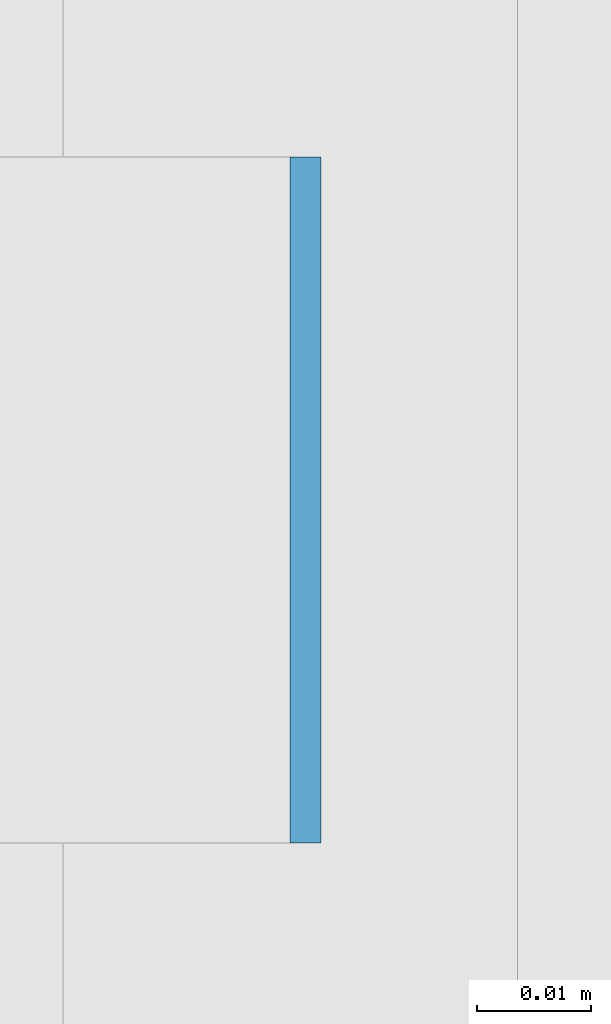
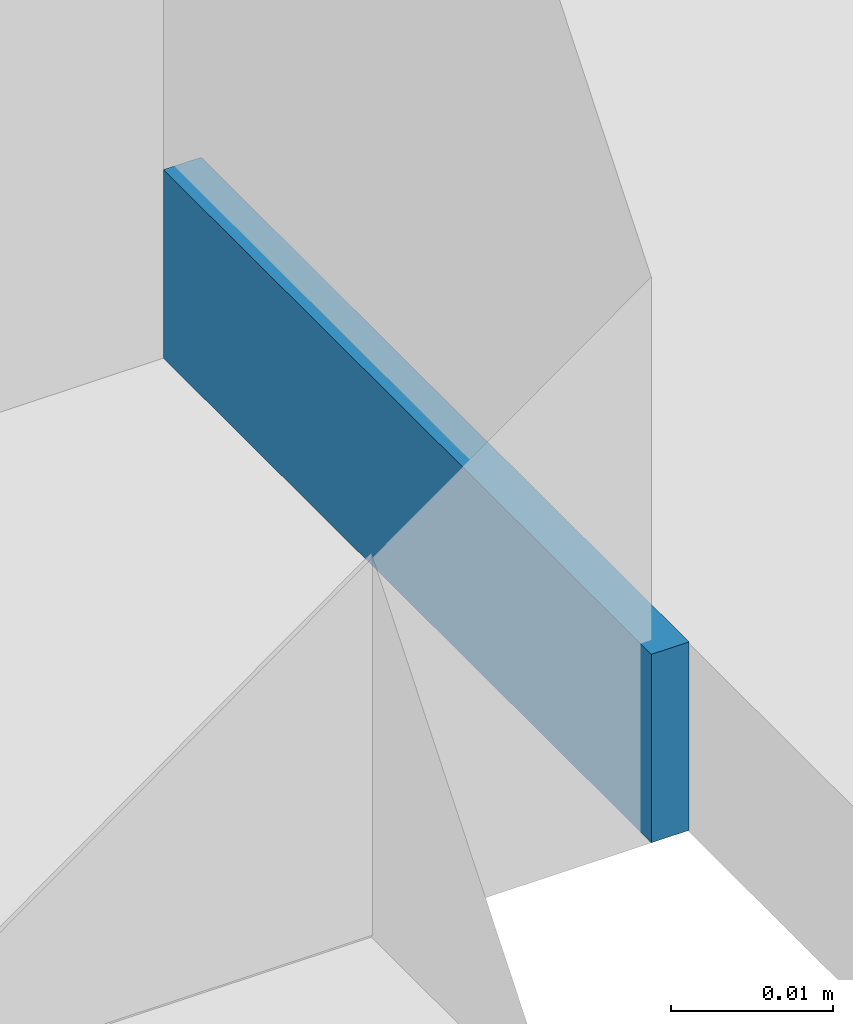
# One storey, part 258 of 646: 1 discrete accessory.
"""IFC4 building model written with IfcOpenShell, lengths in metres."""

import ifcopenshell
import ifcopenshell.guid

model = None  # the IFC model being written
_history = None  # IfcOwnerHistory: only IFC2X3 demands one
_inside = {}  # id of a spatial element -> (the spatial element, [elements in it])
_under = {}  # id of a project, library or spatial element -> (it, [spatial elements below it])
_declared = {}  # id of a project -> (the project, [libraries it declares])
_typed = {}  # id of a type object -> (the type object, [elements of that type])
_made_of = {}  # id of a material, layer set ... -> (it, [elements and type objects made of it])


def new_model(schema):
    """Start an empty IFC model of exactly this schema.

    Asked for "IFC4X3", IfcOpenShell would pick the latest addendum, in which some entities
    have other attributes; the version numbers below select the first issue.
    IFC2X3 requires an IfcOwnerHistory on every rooted entity: one is made here for all.
    """
    global model, _history
    if schema == "IFC4X3":
        model = ifcopenshell.file(schema_version=(4, 3, 0, 0))
    else:
        model = ifcopenshell.file(schema=schema)
    _inside.clear()
    _under.clear()
    _declared.clear()
    _typed.clear()
    _made_of.clear()
    _history = None
    if model.schema == "IFC2X3":
        org = make("IfcOrganization", Name="unknown")
        user = make(
            "IfcPersonAndOrganization",
            ThePerson=make("IfcPerson", FamilyName="unknown"),
            TheOrganization=org,
        )
        app = make(
            "IfcApplication",
            ApplicationDeveloper=org,
            Version="unknown",
            ApplicationFullName="unknown",
            ApplicationIdentifier="unknown",
        )
        _history = make(
            "IfcOwnerHistory",
            OwningUser=user,
            OwningApplication=app,
            ChangeAction="ADDED",
            CreationDate=0,
        )
    return model


def make(cls, **values):
    """One entity of the class cls with the attributes given. An attribute that is None is left unset."""
    return model.create_entity(
        cls, **{name: value for name, value in values.items() if value is not None}
    )


def rooted(cls, **values):
    """An entity with a GlobalId (a new one), such as an element, a storey or a relation."""
    return make(cls, GlobalId=ifcopenshell.guid.new(), OwnerHistory=_history, **values)


def si_unit(unit_type, name, prefix=None):
    """IfcSIUnit, for example si_unit("LENGTHUNIT", "METRE", prefix="MILLI")."""
    return make("IfcSIUnit", UnitType=unit_type, Prefix=prefix, Name=name)


def assignment(units):
    """IfcUnitAssignment: the units of a project."""
    return None if units is None else make("IfcUnitAssignment", Units=units)


def point(xyz):
    """IfcCartesianPoint."""
    return None if xyz is None else make("IfcCartesianPoint", Coordinates=xyz)


def direction(xyz):
    """IfcDirection."""
    return None if xyz is None else make("IfcDirection", DirectionRatios=xyz)


def frame(location, z_axis=None, x_axis=None):
    """IfcAxis2Placement3D, a coordinate frame: its origin and axes. An axis left out is left unset."""
    return make(
        "IfcAxis2Placement3D",
        Location=point(location),
        Axis=direction(z_axis),
        RefDirection=direction(x_axis),
    )


def frame_2d(location, x_axis=None):
    """IfcAxis2Placement2D, a coordinate frame in the plane: its origin and x axis."""
    return make(
        "IfcAxis2Placement2D", Location=point(location), RefDirection=direction(x_axis)
    )


def origin():
    """The frame at (0, 0, 0) with its axes left unset."""
    return frame((0.0, 0.0, 0.0))


def origin_2d():
    """The frame at (0, 0) in the plane with its x axis left unset."""
    return frame_2d((0.0, 0.0))


def place(relative_to, where):
    """IfcLocalPlacement: puts the frame where relative to a parent placement (None: the world)."""
    return make(
        "IfcLocalPlacement", PlacementRelTo=relative_to, RelativePlacement=where
    )


def context(
    kind, dimensions, precision=None, world=None, true_north=None, identifier=None
):
    """IfcGeometricRepresentationContext, for example the 3D "Model" context."""
    return make(
        "IfcGeometricRepresentationContext",
        ContextIdentifier=identifier,
        ContextType=kind,
        CoordinateSpaceDimension=dimensions,
        Precision=precision,
        WorldCoordinateSystem=world,
        TrueNorth=true_north,
    )


def subcontext(parent, identifier, kind, view, scale=None):
    """IfcGeometricRepresentationSubContext, for example "Body" below "Model"."""
    return make(
        "IfcGeometricRepresentationSubContext",
        ContextIdentifier=identifier,
        ContextType=kind,
        ParentContext=parent,
        TargetScale=scale,
        TargetView=view,
    )


def project(units=None, contexts=None):
    """IfcProject with its units and contexts."""
    return rooted(
        "IfcProject",
        Name="project",
        RepresentationContexts=contexts,
        UnitsInContext=assignment(units),
    )


def spatial(cls, under=None, at=None, **own):
    """A site, building, storey or space (cls), placed at a placement, below another one or the project."""
    s = rooted(cls, ObjectPlacement=at, **own)
    if under is not None:
        _under.setdefault(under.id(), (under, []))[1].append(s)
    return s


def profile(cls, at=None, kind="AREA", **sizes):
    """A parametric profile (cls). Its sizes go by their IFC names, for example OverallWidth=200.0."""
    return make(cls, ProfileType=kind, Position=at, **sizes)


def rectangle(**sizes):
    """IfcRectangleProfileDef."""
    return profile("IfcRectangleProfileDef", **sizes)


def extrude(swept, where, along, depth):
    """IfcExtrudedAreaSolid: the profile swept, set in the frame where, extruded along a direction by depth."""
    return make(
        "IfcExtrudedAreaSolid",
        SweptArea=swept,
        Position=where,
        ExtrudedDirection=direction(along),
        Depth=depth,
    )


def shape(context_of_items, identifier, shape_type, items):
    """IfcShapeRepresentation: the items that make up one representation, for example the "Body"."""
    return make(
        "IfcShapeRepresentation",
        ContextOfItems=context_of_items,
        RepresentationIdentifier=identifier,
        RepresentationType=shape_type,
        Items=items,
    )


def material(Name=None, Category=None):
    """IfcMaterial."""
    return make("IfcMaterial", Name=Name, Category=Category)


def made_of(thing, what):
    """Note that an element or type object is made of a material, layer set ...; save() writes the relation."""
    if what is not None:
        _made_of.setdefault(what.id(), (what, []))[1].append(thing)
    return thing


def type_object(cls, material=None, **own):
    """A type object (cls), such as IfcWallType, which elements share."""
    return made_of(rooted(cls, **own), material)


def element(
    cls,
    number,
    at=None,
    inside=None,
    cuts=None,
    type_object=None,
    material=None,
    context=None,
    identifier="Body",
    shape_type=None,
    held_by="IfcProductDefinitionShape",
    body=None,
    shapes=None,
    **own,
):
    """One element of the class cls, such as IfcWall. Its Tag is "e" and its number.

    at: its placement. inside: the storey or other place that contains it. cuts: it is an
    opening in that element (IfcRelVoidsElement). A single representation is given by context,
    identifier, shape_type and body (its items); several are given by shapes. held_by: the class
    of the entity that holds the representations. save() writes the other relations.
    """
    e = rooted(cls, Tag="e%d" % number, ObjectPlacement=at, **own)
    if body is not None:
        shapes = [shape(context, identifier, shape_type, body)]
    if shapes is not None:
        e.Representation = make(held_by, Representations=shapes)
    if inside is not None:
        _inside.setdefault(inside.id(), (inside, []))[1].append(e)
    if cuts is not None:
        rooted(
            "IfcRelVoidsElement", RelatingBuildingElement=cuts, RelatedOpeningElement=e
        )
    if type_object is not None:
        _typed.setdefault(type_object.id(), (type_object, []))[1].append(e)
    return made_of(e, material)


def aggregate(whole, parts):
    """IfcRelAggregates: a whole, such as a stair, and the parts it consists of."""
    return rooted("IfcRelAggregates", RelatingObject=whole, RelatedObjects=parts)


def save(model, path):
    """Write the relations noted so far, then the file.

    IfcRelAggregates (storeys below a building ...), IfcRelContainedInSpatialStructure (elements
    in a storey), IfcRelDefinesByType, IfcRelAssociatesMaterial and IfcRelDeclares: one each for
    every whole, place, type object, material and project.
    """
    for whole, parts in _under.values():
        aggregate(whole, parts)
    for where, things in _inside.values():
        rooted(
            "IfcRelContainedInSpatialStructure",
            RelatedElements=things,
            RelatingStructure=where,
        )
    for kind, things in _typed.values():
        rooted("IfcRelDefinesByType", RelatedObjects=things, RelatingType=kind)
    for what, things in _made_of.values():
        rooted("IfcRelAssociatesMaterial", RelatedObjects=things, RelatingMaterial=what)
    for by, libraries in _declared.values():
        rooted("IfcRelDeclares", RelatingContext=by, RelatedDefinitions=libraries)
    model.write(path)


model = new_model("IFC4")

# Units and contexts
model_context = context("Model", 3, precision=1e-05, world=origin(), true_north=direction((0.0, 1.0)))
body_context = subcontext(model_context, "Body", "Model", "MODEL_VIEW")
ifc_project = project(units=[si_unit("LENGTHUNIT", "METRE"), si_unit("AREAUNIT", "SQUARE_METRE"), si_unit("VOLUMEUNIT", "CUBIC_METRE"), si_unit("PLANEANGLEUNIT", "RADIAN"), si_unit("MASSUNIT", "GRAM", prefix="KILO")], contexts=[model_context])

# Site, building, storey
site_placement = place(None, origin())
site = spatial("IfcSite", under=ifc_project, at=site_placement, CompositionType="ELEMENT")
building_placement = place(site_placement, origin())
building = spatial("IfcBuilding", under=site, at=building_placement, Name="Silverbay Arena", CompositionType="ELEMENT")
storey_placement = place(building_placement, frame((0.0, 0.0, 33.5)))
storey = spatial("IfcBuildingStorey", under=building, at=storey_placement, Name="L05", CompositionType="ELEMENT", Elevation=33.5)

# Discrete accessory
ifc_material = material(Name="Steel S355", Category="steel")
discrete_accessory_type = type_object("IfcDiscreteAccessoryType", Name="Steel bracket plate", PredefinedType="BRACKET", material=ifc_material)
discrete_accessory_placement = place(storey_placement, frame((53.871337890625, 38.571533203125, 4.0), z_axis=(0.0, 0.0, 1.0), x_axis=(1.0, 0.0, 0.0)))
element("IfcDiscreteAccessory", 1, at=discrete_accessory_placement, inside=storey, type_object=discrete_accessory_type, Name="Curtain wall packing plate", PredefinedType="BRACKET", context=body_context, shape_type="SweptSolid", body=[
    extrude(rectangle(XDim=0.002685546875, YDim=0.06005859375, at=origin_2d()), origin(), (0.0, 0.0, 1.0), 0.01416015625),
])

save(model, "model.ifc")
